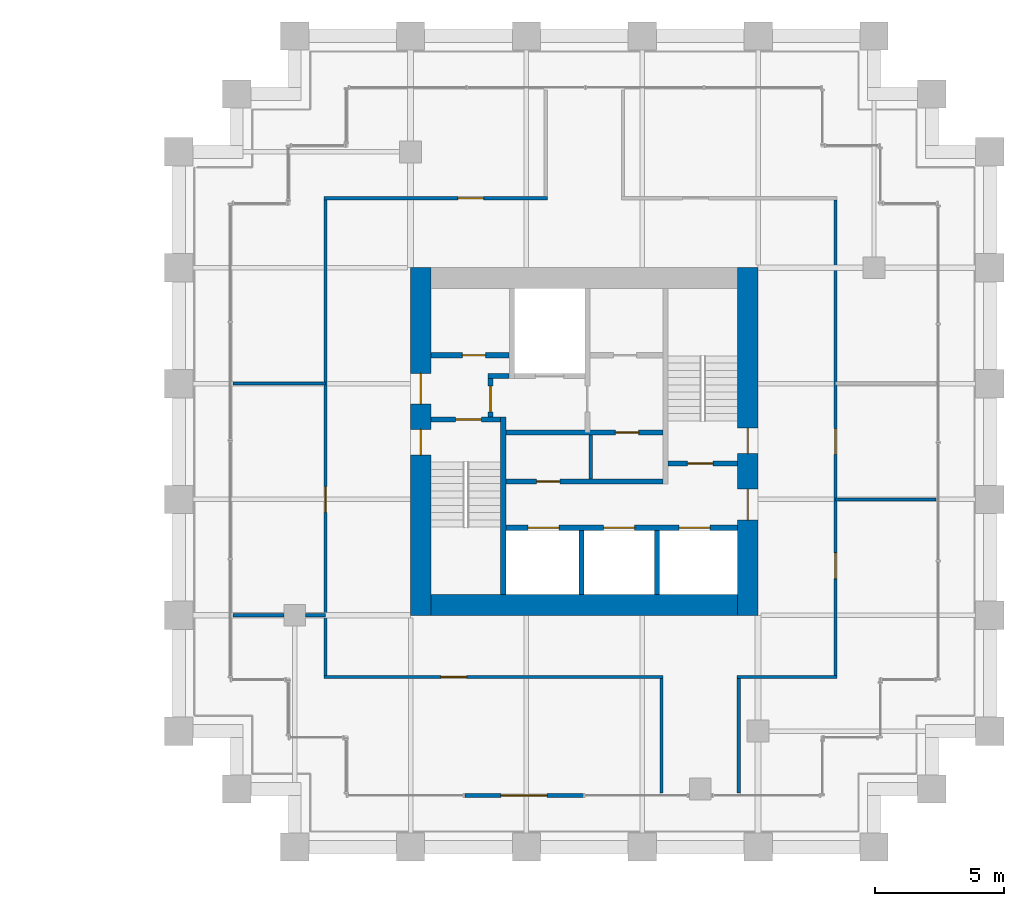
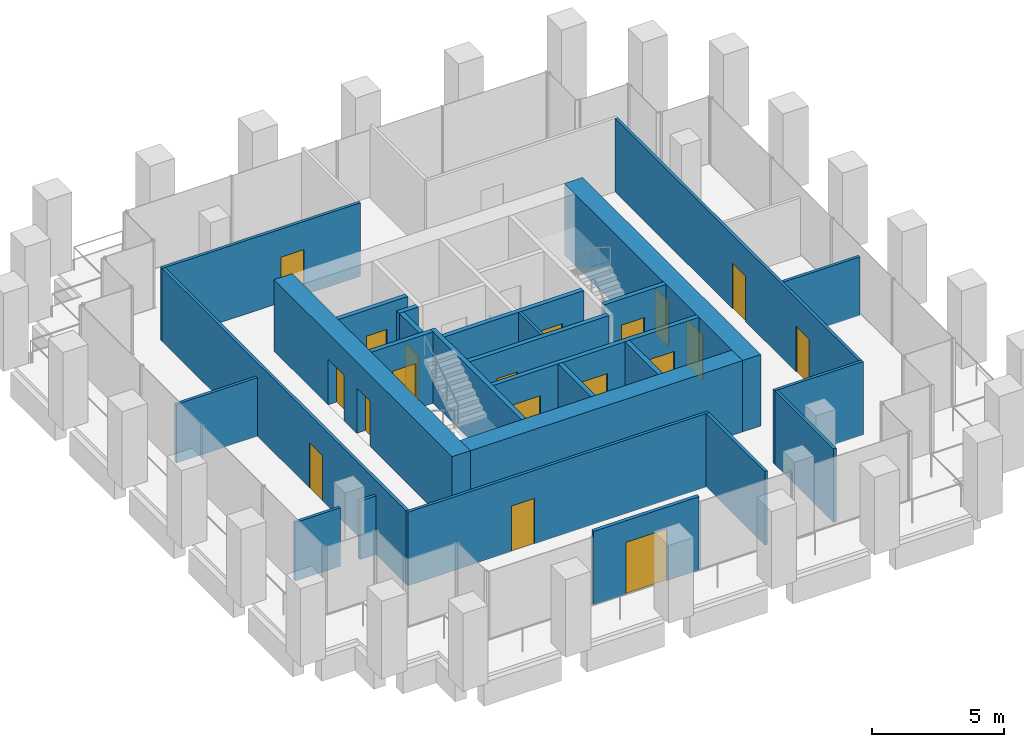
# One storey, part 52 of 56: 27 walls, 19 doors, 19 openings.
"""IFC4 building model written with IfcOpenShell, lengths in metres."""

from ifc_helpers import new_model, si_unit, direction, frame, frame_2d, origin, place, context, subcontext, project, spatial, rectangle, extrude, material, layer, layer_set, type_object, element, fill, save


model = new_model("IFC4")

# Units and contexts
model_context = context("Model", 3, precision=1e-05, world=origin(), true_north=direction((0.0, 1.0)))
body_context = subcontext(model_context, "Body", "Model", "MODEL_VIEW")
ifc_project = project(units=[si_unit("LENGTHUNIT", "METRE"), si_unit("AREAUNIT", "SQUARE_METRE"), si_unit("VOLUMEUNIT", "CUBIC_METRE"), si_unit("PLANEANGLEUNIT", "RADIAN"), si_unit("MASSUNIT", "GRAM", prefix="KILO")], contexts=[model_context])

# Site, building, storey
site_placement = place(None, origin())
site = spatial("IfcSite", under=ifc_project, at=site_placement, CompositionType="ELEMENT")
building_placement = place(site_placement, origin())
building = spatial("IfcBuilding", under=site, at=building_placement, Name="Altepetl Exchange Towers", CompositionType="ELEMENT")
storey_placement = place(building_placement, frame((0.0, 0.0, 83.39990234375)))
storey = spatial("IfcBuildingStorey", under=building, at=storey_placement, Name="L20", CompositionType="ELEMENT", Elevation=83.39990234375)

# Wall, openings, doors
ifc_material_1 = material(Name="Concrete C70/85", Category="concrete")
ifc_layer_1 = layer(ifc_material_1, 0.800048828125)
ifc_layer_set_1 = layer_set([ifc_layer_1], Name="Concrete C70/85")
wall_type_1 = type_object("IfcWallType", Name="Core wall 800 reinforced concrete", PredefinedType="SHEAR", material=ifc_layer_set_1)
wall_1_placement = place(storey_placement, frame((116.60009765625, 36.0, 0.0), z_axis=(0.0, 0.0, 1.0), x_axis=(0.0, 1.0, 0.0)))
wall_1 = element("IfcWall", 1, at=wall_1_placement, inside=storey, type_object=wall_type_1, Name="wall:B:L20:K-coreE", PredefinedType="SHEAR", context=body_context, shape_type="SweptSolid", body=[
    extrude(rectangle(XDim=13.5, YDim=0.800048828125, at=frame_2d((6.75, 0.0))), origin(), (0.0, 0.0, 1.0), 3.300048828125),
])
opening_1_placement = place(wall_1_placement, frame((3.699951171875, 0.0, 0.0)))
opening_1 = element("IfcOpeningElement", 2, at=opening_1_placement, cuts=wall_1, Name="Opening L20.B61", PredefinedType="OPENING", context=body_context, shape_type="SweptSolid", body=[
    extrude(rectangle(XDim=1.199951171875, YDim=2.10009765625, at=frame_2d((0.60009765625, 1.050048828125))), frame((0.0, 0.41015625, 0.0), z_axis=(0.0, -1.0, 0.0), x_axis=(1.0, 0.0, 0.0)), (0.0, 0.0, 1.0), 0.820068359375),
])
opening_2_placement = place(wall_1_placement, frame((6.27490234375, 0.0, 0.0)))
opening_2 = element("IfcOpeningElement", 3, at=opening_2_placement, cuts=wall_1, Name="Opening L20.B65", PredefinedType="OPENING", context=body_context, shape_type="SweptSolid", body=[
    extrude(rectangle(XDim=1.0, YDim=2.10009765625, at=frame_2d((0.5, 1.050048828125))), frame((0.0, 0.41015625, 0.0), z_axis=(0.0, -1.0, 0.0), x_axis=(1.0, 0.0, 0.0)), (0.0, 0.0, 1.0), 0.820068359375),
])
ifc_material_2 = material(Name="Steel and timber fire door", Category="steel")
door_type_1 = type_object("IfcDoorType", Name="Fire door 1000 x 2100 stair and lobby", OperationType="SINGLE_SWING_LEFT", PredefinedType="DOOR", material=ifc_material_2)
door_1_placement = place(opening_2_placement, origin())
door_1 = element("IfcDoor", 4, at=door_1_placement, inside=storey, type_object=door_type_1, Name="door:B:L20:K-dS2x", OperationType="SINGLE_SWING_LEFT", OverallHeight=2.10009765625, OverallWidth=1.0, PredefinedType="DOOR", context=body_context, shape_type="SweptSolid", body=[
    extrude(rectangle(XDim=1.0, YDim=2.10009765625, at=frame_2d((0.5, 1.050048828125))), frame((0.0, 0.02490234375, 0.0), z_axis=(0.0, -1.0, 0.0), x_axis=(1.0, 0.0, 0.0)), (0.0, 0.0, 1.0), 0.050048828125),
])
fill(opening_2, door_1)
door_type_2 = type_object("IfcDoorType", Name="Fire door 1200 x 2100 lobby entry", OperationType="SINGLE_SWING_LEFT", PredefinedType="DOOR", material=ifc_material_2)
door_2_placement = place(opening_1_placement, origin())
door_2 = element("IfcDoor", 5, at=door_2_placement, inside=storey, type_object=door_type_2, Name="door:B:L20:K-dLSE", OperationType="SINGLE_SWING_RIGHT", OverallHeight=2.10009765625, OverallWidth=1.199951171875, PredefinedType="DOOR", context=body_context, shape_type="SweptSolid", body=[
    extrude(rectangle(XDim=1.199951171875, YDim=2.10009765625, at=frame_2d((0.60009765625, 1.050048828125))), frame((0.0, 0.02490234375, 0.0), z_axis=(0.0, -1.0, 0.0), x_axis=(1.0, 0.0, 0.0)), (0.0, 0.0, 1.0), 0.050048828125),
])
fill(opening_1, door_2)

# Wall
wall_2_placement = place(storey_placement, frame((104.300048828125, 36.39990234375, 0.0)))
element("IfcWall", 6, at=wall_2_placement, inside=storey, type_object=wall_type_1, Name="wall:B:L20:K-coreS", PredefinedType="SHEAR", context=body_context, shape_type="SweptSolid", body=[
    extrude(rectangle(XDim=11.89990234375, YDim=0.800048828125, at=frame_2d((5.949951171875, 0.0))), origin(), (0.0, 0.0, 1.0), 3.300048828125),
])

# Wall, openings, doors
wall_3_placement = place(storey_placement, frame((103.89990234375, 36.0, 0.0), z_axis=(0.0, 0.0, 1.0), x_axis=(0.0, 1.0, 0.0)))
wall_3 = element("IfcWall", 7, at=wall_3_placement, inside=storey, type_object=wall_type_1, Name="wall:B:L20:K-coreW", PredefinedType="SHEAR", context=body_context, shape_type="SweptSolid", body=[
    extrude(rectangle(XDim=13.5, YDim=0.800048828125, at=frame_2d((6.75, 0.0))), origin(), (0.0, 0.0, 1.0), 3.300048828125),
])
opening_3_placement = place(wall_3_placement, frame((8.199951171875, 0.0, 0.0)))
opening_3 = element("IfcOpeningElement", 8, at=opening_3_placement, cuts=wall_3, Name="Opening L20.B60", PredefinedType="OPENING", context=body_context, shape_type="SweptSolid", body=[
    extrude(rectangle(XDim=1.199951171875, YDim=2.10009765625, at=frame_2d((0.60009765625, 1.050048828125))), frame((0.0, 0.41015625, 0.0), z_axis=(0.0, -1.0, 0.0), x_axis=(1.0, 0.0, 0.0)), (0.0, 0.0, 1.0), 0.820068359375),
])
opening_4_placement = place(wall_3_placement, frame((6.22509765625, 0.0, 0.0)))
opening_4 = element("IfcOpeningElement", 9, at=opening_4_placement, cuts=wall_3, Name="Opening L20.B63", PredefinedType="OPENING", context=body_context, shape_type="SweptSolid", body=[
    extrude(rectangle(XDim=1.0, YDim=2.10009765625, at=frame_2d((0.5, 1.050048828125))), frame((0.0, 0.41015625, 0.0), z_axis=(0.0, -1.0, 0.0), x_axis=(1.0, 0.0, 0.0)), (0.0, 0.0, 1.0), 0.820068359375),
])
door_3_placement = place(opening_4_placement, frame((1.0, 0.0, 0.0), x_axis=(-1.0, 0.0, 0.0)))
door_3 = element("IfcDoor", 10, at=door_3_placement, inside=storey, type_object=door_type_1, Name="door:B:L20:K-dS1x", OperationType="SINGLE_SWING_RIGHT", OverallHeight=2.10009765625, OverallWidth=1.0, PredefinedType="DOOR", context=body_context, shape_type="SweptSolid", body=[
    extrude(rectangle(XDim=1.0, YDim=2.10009765625, at=frame_2d((0.5, 1.050048828125))), frame((0.0, 0.02490234375, 0.0), z_axis=(0.0, -1.0, 0.0), x_axis=(1.0, 0.0, 0.0)), (0.0, 0.0, 1.0), 0.050048828125),
])
fill(opening_4, door_3)
door_4_placement = place(opening_3_placement, frame((1.199951171875, 0.0, 0.0), x_axis=(-1.0, 0.0, 0.0)))
door_4 = element("IfcDoor", 11, at=door_4_placement, inside=storey, type_object=door_type_2, Name="door:B:L20:K-dLNW", OperationType="SINGLE_SWING_RIGHT", OverallHeight=2.10009765625, OverallWidth=1.199951171875, PredefinedType="DOOR", context=body_context, shape_type="SweptSolid", body=[
    extrude(rectangle(XDim=1.199951171875, YDim=2.10009765625, at=frame_2d((0.60009765625, 1.050048828125))), frame((0.0, 0.02490234375, 0.0), z_axis=(0.0, -1.0, 0.0), x_axis=(1.0, 0.0, 0.0)), (0.0, 0.0, 1.0), 0.050048828125),
])
fill(opening_3, door_4)

# Wall, opening, door
ifc_material_3 = material(Name="Aluminium composite cladding", Category="aluminium")
ifc_layer_2 = layer(ifc_material_3, 0.14990234375)
ifc_layer_set_2 = layer_set([ifc_layer_2], Name="Aluminium composite cladding")
wall_type_2 = type_object("IfcWallType", Name="Infill wall 150 aluminium panel", PredefinedType="SOLIDWALL", material=ifc_layer_set_2)
wall_4_placement = place(storey_placement, frame((105.606201171875, 29.0, 0.0)))
wall_4 = element("IfcWall", 12, at=wall_4_placement, inside=storey, type_object=wall_type_2, Name="Loggia door bay wall", PredefinedType="SOLIDWALL", context=body_context, shape_type="SweptSolid", body=[
    extrude(rectangle(XDim=4.606201171875, YDim=0.14990234375, at=frame_2d((2.30322265625, 0.0))), origin(), (0.0, 0.0, 1.0), 3.400146484375),
])
opening_5_placement = place(wall_4_placement, frame((1.403076171875, 0.0, 0.0)))
opening_5 = element("IfcOpeningElement", 13, at=opening_5_placement, cuts=wall_4, Name="Opening L20.B90", PredefinedType="OPENING", context=body_context, shape_type="SweptSolid", body=[
    extrude(rectangle(XDim=1.800048828125, YDim=2.39990234375, at=frame_2d((0.89990234375, 1.199951171875))), frame((0.0, 0.0849609375, 0.0), z_axis=(0.0, -1.0, 0.0), x_axis=(1.0, 0.0, 0.0)), (0.0, 0.0, 1.0), 0.169921875),
])
ifc_material_4 = material(Name="Aluminium 6063-T6 and glass", Category="aluminium")
door_type_3 = type_object("IfcDoorType", Name="Glazed door pair 1800x2400", OperationType="DOUBLE_DOOR_DOUBLE_SWING", PredefinedType="NOTDEFINED", material=ifc_material_4)
door_5_placement = place(opening_5_placement, frame((1.800048828125, 0.0, 0.0), x_axis=(-1.0, 0.0, 0.0)))
door_5 = element("IfcDoor", 14, at=door_5_placement, inside=storey, type_object=door_type_3, Name="Loggia door", OperationType="DOUBLE_DOOR_DOUBLE_SWING", OverallHeight=2.39990234375, OverallWidth=1.800048828125, PredefinedType="NOTDEFINED", context=body_context, shape_type="SweptSolid", body=[
    extrude(rectangle(XDim=1.800048828125, YDim=2.39990234375, at=frame_2d((0.89990234375, 1.199951171875))), frame((0.0, 0.02490234375, 0.0), z_axis=(0.0, -1.0, 0.0), x_axis=(1.0, 0.0, 0.0)), (0.0, 0.0, 1.0), 0.050048828125),
])
fill(opening_5, door_5)

# Wall
ifc_material_5 = material(Name="Concrete blockwork", Category="masonry")
ifc_layer_3 = layer(ifc_material_5, 0.199951171875)
ifc_layer_set_3 = layer_set([ifc_layer_3], Name="Concrete blockwork")
wall_type_3 = type_object("IfcWallType", Name="Lobby wall 200 blockwork", PredefinedType="PARTITIONING", material=ifc_layer_set_3)
wall_5_placement = place(storey_placement, frame((106.5, 45.300048828125, 0.0)))
element("IfcWall", 15, at=wall_5_placement, inside=storey, type_object=wall_type_3, Name="wall:B:L20:K-ffNw", PredefinedType="PARTITIONING", context=body_context, shape_type="SweptSolid", body=[
    extrude(rectangle(XDim=0.833251953125, YDim=0.199951171875, at=frame_2d((0.41650390625, 0.0))), origin(), (0.0, 0.0, 1.0), 3.300048828125),
])

# Wall, opening, door
wall_6_placement = place(storey_placement, frame((106.60009765625, 43.699951171875, 0.0), z_axis=(0.0, 0.0, 1.0), x_axis=(0.0, 1.0, 0.0)))
wall_6 = element("IfcWall", 16, at=wall_6_placement, inside=storey, type_object=wall_type_3, Name="wall:B:L20:K-ffW", PredefinedType="PARTITIONING", context=body_context, shape_type="SweptSolid", body=[
    extrude(rectangle(XDim=1.5, YDim=0.199951171875, at=frame_2d((0.75, 0.0))), origin(), (0.0, 0.0, 1.0), 3.300048828125),
])
opening_6_placement = place(wall_6_placement, frame((0.199951171875, 0.0, 0.0)))
opening_6 = element("IfcOpeningElement", 17, at=opening_6_placement, cuts=wall_6, Name="Opening L20.B67", PredefinedType="OPENING", context=body_context, shape_type="SweptSolid", body=[
    extrude(rectangle(XDim=1.0, YDim=2.10009765625, at=frame_2d((0.5, 1.050048828125))), frame((0.0, 0.10986328125, 0.0), z_axis=(0.0, -1.0, 0.0), x_axis=(1.0, 0.0, 0.0)), (0.0, 0.0, 1.0), 0.219970703125),
])
door_6_placement = place(opening_6_placement, frame((1.0, 0.0, 0.0), x_axis=(-1.0, 0.0, 0.0)))
door_6 = element("IfcDoor", 18, at=door_6_placement, inside=storey, type_object=door_type_1, Name="door:B:L20:K-dffW", OperationType="SINGLE_SWING_LEFT", OverallHeight=2.10009765625, OverallWidth=1.0, PredefinedType="DOOR", context=body_context, shape_type="SweptSolid", body=[
    extrude(rectangle(XDim=1.0, YDim=2.10009765625, at=frame_2d((0.5, 1.050048828125))), frame((0.0, 0.02490234375, 0.0), z_axis=(0.0, -1.0, 0.0), x_axis=(1.0, 0.0, 0.0)), (0.0, 0.0, 1.0), 0.050048828125),
])
fill(opening_6, door_6)

wall_7_placement = place(storey_placement, frame((107.199951171875, 43.10009765625, 0.0)))
wall_7 = element("IfcWall", 19, at=wall_7_placement, inside=storey, type_object=wall_type_3, Name="wall:B:L20:K-zoneN", PredefinedType="PARTITIONING", context=body_context, shape_type="SweptSolid", body=[
    extrude(rectangle(XDim=6.10009765625, YDim=0.199951171875, at=frame_2d((3.050048828125, 0.0))), origin(), (0.0, 0.0, 1.0), 3.300048828125),
])
opening_7_placement = place(wall_7_placement, frame((4.258544921875, 0.0, 0.0)))
opening_7 = element("IfcOpeningElement", 20, at=opening_7_placement, cuts=wall_7, Name="Opening L20.B71", PredefinedType="OPENING", context=body_context, shape_type="SweptSolid", body=[
    extrude(rectangle(XDim=0.89990234375, YDim=2.10009765625, at=frame_2d((0.449951171875, 1.050048828125))), frame((0.0, 0.10986328125, 0.0), z_axis=(0.0, -1.0, 0.0), x_axis=(1.0, 0.0, 0.0)), (0.0, 0.0, 1.0), 0.219970703125),
])
door_type_4 = type_object("IfcDoorType", Name="Fire door 900 x 2100 service room", OperationType="SINGLE_SWING_LEFT", PredefinedType="DOOR", material=ifc_material_2)
door_7_placement = place(opening_7_placement, frame((0.89990234375, 0.0, 0.0), x_axis=(-1.0, 0.0, 0.0)))
door_7 = element("IfcDoor", 21, at=door_7_placement, inside=storey, type_object=door_type_4, Name="door:B:L20:K-dz2", OperationType="SINGLE_SWING_LEFT", OverallHeight=2.10009765625, OverallWidth=0.89990234375, PredefinedType="DOOR", context=body_context, shape_type="SweptSolid", body=[
    extrude(rectangle(XDim=0.89990234375, YDim=2.10009765625, at=frame_2d((0.449951171875, 1.050048828125))), frame((0.0, 0.02490234375, 0.0), z_axis=(0.0, -1.0, 0.0), x_axis=(1.0, 0.0, 0.0)), (0.0, 0.0, 1.0), 0.050048828125),
])
fill(opening_7, door_7)

wall_8_placement = place(storey_placement, frame((107.199951171875, 41.199951171875, 0.0)))
wall_8 = element("IfcWall", 22, at=wall_8_placement, inside=storey, type_object=wall_type_3, Name="wall:B:L20:K-zoneS", PredefinedType="PARTITIONING", context=body_context, shape_type="SweptSolid", body=[
    extrude(rectangle(XDim=6.10009765625, YDim=0.199951171875, at=frame_2d((3.050048828125, 0.0))), origin(), (0.0, 0.0, 1.0), 3.300048828125),
])
opening_8_placement = place(wall_8_placement, frame((1.199951171875, 0.0, 0.0)))
opening_8 = element("IfcOpeningElement", 23, at=opening_8_placement, cuts=wall_8, Name="Opening L20.B70", PredefinedType="OPENING", context=body_context, shape_type="SweptSolid", body=[
    extrude(rectangle(XDim=0.89990234375, YDim=2.10009765625, at=frame_2d((0.449951171875, 1.050048828125))), frame((0.0, 0.10986328125, 0.0), z_axis=(0.0, -1.0, 0.0), x_axis=(1.0, 0.0, 0.0)), (0.0, 0.0, 1.0), 0.219970703125),
])
door_8_placement = place(opening_8_placement, origin())
door_8 = element("IfcDoor", 24, at=door_8_placement, inside=storey, type_object=door_type_4, Name="door:B:L20:K-dz1", OperationType="SINGLE_SWING_RIGHT", OverallHeight=2.10009765625, OverallWidth=0.89990234375, PredefinedType="DOOR", context=body_context, shape_type="SweptSolid", body=[
    extrude(rectangle(XDim=0.89990234375, YDim=2.10009765625, at=frame_2d((0.449951171875, 1.050048828125))), frame((0.0, 0.02490234375, 0.0), z_axis=(0.0, -1.0, 0.0), x_axis=(1.0, 0.0, 0.0)), (0.0, 0.0, 1.0), 0.050048828125),
])
fill(opening_8, door_8)

# Wall
ifc_material_6 = material(Name="Gypsum board on steel studs", Category="steel")
ifc_layer_4 = layer(ifc_material_6, 0.125)
ifc_layer_set_4 = layer_set([ifc_layer_4], Name="Gypsum board on steel studs")
wall_type_4 = type_object("IfcWallType", Name="Partition 125 gypsum board on steel studs", PredefinedType="PARTITIONING", material=ifc_layer_set_4)
wall_9_placement = place(storey_placement, frame((110.5, 41.300048828125, 0.0), z_axis=(0.0, 0.0, 1.0), x_axis=(0.0, 1.0, 0.0)))
element("IfcWall", 25, at=wall_9_placement, inside=storey, type_object=wall_type_4, Name="wall:B:L20:K-zp1", PredefinedType="PARTITIONING", context=body_context, shape_type="SweptSolid", body=[
    extrude(rectangle(XDim=1.699951171875, YDim=0.125, at=frame_2d((0.85009765625, 0.0))), origin(), (0.0, 0.0, 1.0), 3.300048828125),
])

# Wall, opening, door
wall_10_placement = place(storey_placement, frame((100.137451171875, 33.60009765625, 0.0)))
wall_10 = element("IfcWall", 26, at=wall_10_placement, inside=storey, type_object=wall_type_4, Name="wall:B:L20:P01", PredefinedType="PARTITIONING", context=body_context, shape_type="SweptSolid", body=[
    extrude(rectangle(XDim=13.175048828125, YDim=0.125, at=frame_2d((6.58740234375, 0.0))), origin(), (0.0, 0.0, 1.0), 3.400146484375),
])
opening_9_placement = place(wall_10_placement, frame((4.54150390625, 0.0, 0.0)))
opening_9 = element("IfcOpeningElement", 27, at=opening_9_placement, cuts=wall_10, Name="Opening L20.B02", PredefinedType="OPENING", context=body_context, shape_type="SweptSolid", body=[
    extrude(rectangle(XDim=1.0, YDim=2.10009765625, at=frame_2d((0.5, 1.050048828125))), frame((0.0, 0.072509765625, 0.0), z_axis=(0.0, -1.0, 0.0), x_axis=(1.0, 0.0, 0.0)), (0.0, 0.0, 1.0), 0.14501953125),
])
door_type_5 = type_object("IfcDoorType", Name="Fire door 1000 x 2100 single leaf", OperationType="SINGLE_SWING_LEFT", PredefinedType="DOOR", material=ifc_material_2)
door_9_placement = place(opening_9_placement, frame((1.0, 0.0, 0.0), x_axis=(-1.0, 0.0, 0.0)))
door_9 = element("IfcDoor", 28, at=door_9_placement, inside=storey, type_object=door_type_5, Name="door:B:L20:02", OperationType="SINGLE_SWING_RIGHT", OverallHeight=2.10009765625, OverallWidth=1.0, PredefinedType="DOOR", context=body_context, shape_type="SweptSolid", body=[
    extrude(rectangle(XDim=1.0, YDim=2.10009765625, at=frame_2d((0.5, 1.050048828125))), frame((0.0, 0.02490234375, 0.0), z_axis=(0.0, -1.0, 0.0), x_axis=(1.0, 0.0, 0.0)), (0.0, 0.0, 1.0), 0.050048828125),
])
fill(opening_9, door_9)

# Walls
wall_11_placement = place(storey_placement, frame((116.1875, 33.60009765625, 0.0)))
element("IfcWall", 29, at=wall_11_placement, inside=storey, type_object=wall_type_4, Name="wall:B:L20:P02", PredefinedType="PARTITIONING", context=body_context, shape_type="SweptSolid", body=[
    extrude(rectangle(XDim=3.875, YDim=0.125, at=frame_2d((1.9375, 0.0))), origin(), (0.0, 0.0, 1.0), 3.400146484375),
])
wall_12_placement = place(storey_placement, frame((96.60009765625, 36.0, 0.0)))
element("IfcWall", 30, at=wall_12_placement, inside=storey, type_object=wall_type_4, Name="wall:B:L20:P03", PredefinedType="PARTITIONING", context=body_context, shape_type="SweptSolid", body=[
    extrude(rectangle(XDim=1.974853515625, YDim=0.125, at=frame_2d((0.9873046875, 0.0))), origin(), (0.0, 0.0, 1.0), 2.7080078125),
])
wall_13_placement = place(storey_placement, frame((99.425048828125, 36.0, 0.0)))
element("IfcWall", 31, at=wall_13_placement, inside=storey, type_object=wall_type_4, Name="wall:B:L20:P04", PredefinedType="PARTITIONING", context=body_context, shape_type="SweptSolid", body=[
    extrude(rectangle(XDim=0.77490234375, YDim=0.125, at=frame_2d((0.387451171875, 0.0))), origin(), (0.0, 0.0, 1.0), 2.7080078125),
])
wall_14_placement = place(storey_placement, frame((120.0, 40.5, 0.0)))
element("IfcWall", 32, at=wall_14_placement, inside=storey, type_object=wall_type_4, Name="wall:B:L20:P05", PredefinedType="PARTITIONING", context=body_context, shape_type="SweptSolid", body=[
    extrude(rectangle(XDim=3.89990234375, YDim=0.125, at=frame_2d((1.949951171875, 0.0))), origin(), (0.0, 0.0, 1.0), 2.712158203125),
])
wall_15_placement = place(storey_placement, frame((96.60009765625, 45.0, 0.0)))
element("IfcWall", 33, at=wall_15_placement, inside=storey, type_object=wall_type_4, Name="wall:B:L20:P06", PredefinedType="PARTITIONING", context=body_context, shape_type="SweptSolid", body=[
    extrude(rectangle(XDim=3.599853515625, YDim=0.125, at=frame_2d((1.7998046875, 0.0))), origin(), (0.0, 0.0, 1.0), 2.712158203125),
])

# Wall, opening, door
wall_16_placement = place(storey_placement, frame((100.137451171875, 52.199951171875, 0.0)))
wall_16 = element("IfcWall", 34, at=wall_16_placement, inside=storey, type_object=wall_type_4, Name="wall:B:L20:P08", PredefinedType="PARTITIONING", context=body_context, shape_type="SweptSolid", body=[
    extrude(rectangle(XDim=8.675048828125, YDim=0.125, at=frame_2d((4.33740234375, 0.0))), origin(), (0.0, 0.0, 1.0), 3.400146484375),
])
opening_10_placement = place(wall_16_placement, frame((5.196533203125, 0.0, 0.0)))
opening_10 = element("IfcOpeningElement", 35, at=opening_10_placement, cuts=wall_16, Name="Opening L20.B06", PredefinedType="OPENING", context=body_context, shape_type="SweptSolid", body=[
    extrude(rectangle(XDim=1.0, YDim=2.10009765625, at=frame_2d((0.5, 1.050048828125))), frame((0.0, 0.072509765625, 0.0), z_axis=(0.0, -1.0, 0.0), x_axis=(1.0, 0.0, 0.0)), (0.0, 0.0, 1.0), 0.14501953125),
])
door_10_placement = place(opening_10_placement, frame((1.0, 0.0, 0.0), x_axis=(-1.0, 0.0, 0.0)))
door_10 = element("IfcDoor", 36, at=door_10_placement, inside=storey, type_object=door_type_5, Name="door:B:L20:06", OperationType="SINGLE_SWING_RIGHT", OverallHeight=2.10009765625, OverallWidth=1.0, PredefinedType="DOOR", context=body_context, shape_type="SweptSolid", body=[
    extrude(rectangle(XDim=1.0, YDim=2.10009765625, at=frame_2d((0.5, 1.050048828125))), frame((0.0, 0.02490234375, 0.0), z_axis=(0.0, -1.0, 0.0), x_axis=(1.0, 0.0, 0.0)), (0.0, 0.0, 1.0), 0.050048828125),
])
fill(opening_10, door_10)

wall_17_placement = place(storey_placement, frame((100.199951171875, 33.66259765625, 0.0), z_axis=(0.0, 0.0, 1.0), x_axis=(0.0, 1.0, 0.0)))
wall_17 = element("IfcWall", 37, at=wall_17_placement, inside=storey, type_object=wall_type_4, Name="wall:B:L20:P10", PredefinedType="PARTITIONING", context=body_context, shape_type="SweptSolid", body=[
    extrude(rectangle(XDim=18.474853515625, YDim=0.125, at=frame_2d((9.2373046875, 0.0))), origin(), (0.0, 0.0, 1.0), 3.400146484375),
])
opening_11_placement = place(wall_17_placement, frame((6.33740234375, 0.0, 0.0)))
opening_11 = element("IfcOpeningElement", 38, at=opening_11_placement, cuts=wall_17, Name="Opening L20.B01", PredefinedType="OPENING", context=body_context, shape_type="SweptSolid", body=[
    extrude(rectangle(XDim=1.0, YDim=2.10009765625, at=frame_2d((0.5, 1.050048828125))), frame((0.0, 0.072509765625, 0.0), z_axis=(0.0, -1.0, 0.0), x_axis=(1.0, 0.0, 0.0)), (0.0, 0.0, 1.0), 0.14501953125),
])
door_11_placement = place(opening_11_placement, origin())
door_11 = element("IfcDoor", 39, at=door_11_placement, inside=storey, type_object=door_type_5, Name="door:B:L20:01", OperationType="SINGLE_SWING_RIGHT", OverallHeight=2.10009765625, OverallWidth=1.0, PredefinedType="DOOR", context=body_context, shape_type="SweptSolid", body=[
    extrude(rectangle(XDim=1.0, YDim=2.10009765625, at=frame_2d((0.5, 1.050048828125))), frame((0.0, 0.02490234375, 0.0), z_axis=(0.0, -1.0, 0.0), x_axis=(1.0, 0.0, 0.0)), (0.0, 0.0, 1.0), 0.050048828125),
])
fill(opening_11, door_11)

# Walls
for number, where, z_axis, x_axis, name in (
    (40, (113.25, 29.10009765625, 0.0), (0.0, 0.0, 1.0), (0.0, 1.0, 0.0), "wall:B:L20:P13"),
    (41, (116.25, 29.10009765625, 0.0), (0.0, 0.0, 1.0), (0.0, 1.0, 0.0), "wall:B:L20:P14"),
):
    element("IfcWall", number, at=place(storey_placement, frame(where, z_axis=z_axis, x_axis=x_axis)), inside=storey, type_object=wall_type_4, Name=name, PredefinedType="PARTITIONING", context=body_context, shape_type="SweptSolid", body=[
        extrude(rectangle(XDim=4.4375, YDim=0.125, at=frame_2d((2.21875, 0.0))), origin(), (0.0, 0.0, 1.0), 3.400146484375),
    ])

# Wall, openings, doors
wall_18_placement = place(storey_placement, frame((120.0, 33.66259765625, 0.0), z_axis=(0.0, 0.0, 1.0), x_axis=(0.0, 1.0, 0.0)))
wall_18 = element("IfcWall", 42, at=wall_18_placement, inside=storey, type_object=wall_type_4, Name="wall:B:L20:P15", PredefinedType="PARTITIONING", context=body_context, shape_type="SweptSolid", body=[
    extrude(rectangle(XDim=18.474853515625, YDim=0.125, at=frame_2d((9.2373046875, 0.0))), origin(), (0.0, 0.0, 1.0), 3.400146484375),
])
opening_12_placement = place(wall_18_placement, frame((3.762451171875, 0.0, 0.0)))
opening_12 = element("IfcOpeningElement", 43, at=opening_12_placement, cuts=wall_18, Name="Opening L20.B03", PredefinedType="OPENING", context=body_context, shape_type="SweptSolid", body=[
    extrude(rectangle(XDim=1.0, YDim=2.10009765625, at=frame_2d((0.5, 1.050048828125))), frame((0.0, 0.072509765625, 0.0), z_axis=(0.0, -1.0, 0.0), x_axis=(1.0, 0.0, 0.0)), (0.0, 0.0, 1.0), 0.14501953125),
])
opening_13_placement = place(wall_18_placement, frame((8.58740234375, 0.0, 0.0)))
opening_13 = element("IfcOpeningElement", 44, at=opening_13_placement, cuts=wall_18, Name="Opening L20.B04", PredefinedType="OPENING", context=body_context, shape_type="SweptSolid", body=[
    extrude(rectangle(XDim=1.0, YDim=2.10009765625, at=frame_2d((0.5, 1.050048828125))), frame((0.0, 0.072509765625, 0.0), z_axis=(0.0, -1.0, 0.0), x_axis=(1.0, 0.0, 0.0)), (0.0, 0.0, 1.0), 0.14501953125),
])
door_12_placement = place(opening_12_placement, frame((1.0, 0.0, 0.0), x_axis=(-1.0, 0.0, 0.0)))
door_12 = element("IfcDoor", 45, at=door_12_placement, inside=storey, type_object=door_type_5, Name="door:B:L20:03", OperationType="SINGLE_SWING_LEFT", OverallHeight=2.10009765625, OverallWidth=1.0, PredefinedType="DOOR", context=body_context, shape_type="SweptSolid", body=[
    extrude(rectangle(XDim=1.0, YDim=2.10009765625, at=frame_2d((0.5, 1.050048828125))), frame((0.0, 0.02490234375, 0.0), z_axis=(0.0, -1.0, 0.0), x_axis=(1.0, 0.0, 0.0)), (0.0, 0.0, 1.0), 0.050048828125),
])
fill(opening_12, door_12)
door_13_placement = place(opening_13_placement, frame((1.0, 0.0, 0.0), x_axis=(-1.0, 0.0, 0.0)))
door_13 = element("IfcDoor", 46, at=door_13_placement, inside=storey, type_object=door_type_5, Name="door:B:L20:04", OperationType="SINGLE_SWING_RIGHT", OverallHeight=2.10009765625, OverallWidth=1.0, PredefinedType="DOOR", context=body_context, shape_type="SweptSolid", body=[
    extrude(rectangle(XDim=1.0, YDim=2.10009765625, at=frame_2d((0.5, 1.050048828125))), frame((0.0, 0.02490234375, 0.0), z_axis=(0.0, -1.0, 0.0), x_axis=(1.0, 0.0, 0.0)), (0.0, 0.0, 1.0), 0.050048828125),
])
fill(opening_13, door_13)

# Walls
ifc_material_7 = material(Name="Concrete C40/50", Category="concrete")
ifc_layer_5 = layer(ifc_material_7, 0.199951171875)
ifc_layer_set_5 = layer_set([ifc_layer_5], Name="Concrete C40/50")
wall_type_5 = type_object("IfcWallType", Name="Shaft wall 200 reinforced concrete", PredefinedType="SHEAR", material=ifc_layer_set_5)
for number, where, z_axis, x_axis, name in (
    (47, (110.13330078125, 36.800048828125, 0.0), (0.0, 0.0, 1.0), (0.0, 1.0, 0.0), "wall:B:L20:K-divS1"),
    (48, (113.066650390625, 36.800048828125, 0.0), (0.0, 0.0, 1.0), (0.0, 1.0, 0.0), "wall:B:L20:K-divS2"),
):
    element("IfcWall", number, at=place(storey_placement, frame(where, z_axis=z_axis, x_axis=x_axis)), inside=storey, type_object=wall_type_5, Name=name, PredefinedType="SHEAR", context=body_context, shape_type="SweptSolid", body=[
        extrude(rectangle(XDim=2.5, YDim=0.199951171875, at=frame_2d((1.25, 0.0))), origin(), (0.0, 0.0, 1.0), 3.300048828125),
    ])

# Wall, opening, door
wall_19_placement = place(storey_placement, frame((104.300048828125, 46.10009765625, 0.0)))
wall_19 = element("IfcWall", 49, at=wall_19_placement, inside=storey, type_object=wall_type_5, Name="wall:B:L20:K-frontNa", PredefinedType="SHEAR", context=body_context, shape_type="SweptSolid", body=[
    extrude(rectangle(XDim=3.033203125, YDim=0.199951171875, at=frame_2d((1.5166015625, 0.0))), origin(), (0.0, 0.0, 1.0), 3.300048828125),
])
opening_14_placement = place(wall_19_placement, frame((1.216796875, 0.0, 0.0)))
opening_14 = element("IfcOpeningElement", 50, at=opening_14_placement, cuts=wall_19, Name="Opening L20.B68", PredefinedType="OPENING", context=body_context, shape_type="SweptSolid", body=[
    extrude(rectangle(XDim=0.89990234375, YDim=2.10009765625, at=frame_2d((0.449951171875, 1.050048828125))), frame((0.0, 0.10986328125, 0.0), z_axis=(0.0, -1.0, 0.0), x_axis=(1.0, 0.0, 0.0)), (0.0, 0.0, 1.0), 0.219970703125),
])
door_14_placement = place(opening_14_placement, origin())
door_14 = element("IfcDoor", 51, at=door_14_placement, inside=storey, type_object=door_type_4, Name="door:B:L20:K-dslotN0", OperationType="SINGLE_SWING_RIGHT", OverallHeight=2.10009765625, OverallWidth=0.89990234375, PredefinedType="DOOR", context=body_context, shape_type="SweptSolid", body=[
    extrude(rectangle(XDim=0.89990234375, YDim=2.10009765625, at=frame_2d((0.449951171875, 1.050048828125))), frame((0.0, 0.02490234375, 0.0), z_axis=(0.0, -1.0, 0.0), x_axis=(1.0, 0.0, 0.0)), (0.0, 0.0, 1.0), 0.050048828125),
])
fill(opening_14, door_14)

# Wall, openings, doors
wall_20_placement = place(storey_placement, frame((107.199951171875, 39.39990234375, 0.0)))
wall_20 = element("IfcWall", 52, at=wall_20_placement, inside=storey, type_object=wall_type_5, Name="wall:B:L20:K-frontS", PredefinedType="SHEAR", context=body_context, shape_type="SweptSolid", body=[
    extrude(rectangle(XDim=9.0, YDim=0.199951171875, at=frame_2d((4.5, 0.0))), origin(), (0.0, 0.0, 1.0), 3.300048828125),
])
opening_15_placement = place(wall_20_placement, frame((0.86669921875, 0.0, 0.0)))
opening_15 = element("IfcOpeningElement", 53, at=opening_15_placement, cuts=wall_20, Name="Opening L20.B73", PredefinedType="OPENING", context=body_context, shape_type="SweptSolid", body=[
    extrude(rectangle(XDim=1.199951171875, YDim=2.10009765625, at=frame_2d((0.60009765625, 1.050048828125))), frame((0.0, 0.10986328125, 0.0), z_axis=(0.0, -1.0, 0.0), x_axis=(1.0, 0.0, 0.0)), (0.0, 0.0, 1.0), 0.219970703125),
])
opening_16_placement = place(wall_20_placement, frame((3.800048828125, 0.0, 0.0)))
opening_16 = element("IfcOpeningElement", 54, at=opening_16_placement, cuts=wall_20, Name="Opening L20.B74", PredefinedType="OPENING", context=body_context, shape_type="SweptSolid", body=[
    extrude(rectangle(XDim=1.199951171875, YDim=2.10009765625, at=frame_2d((0.60009765625, 1.050048828125))), frame((0.0, 0.10986328125, 0.0), z_axis=(0.0, -1.0, 0.0), x_axis=(1.0, 0.0, 0.0)), (0.0, 0.0, 1.0), 0.219970703125),
])
opening_17_placement = place(wall_20_placement, frame((6.7333984375, 0.0, 0.0)))
opening_17 = element("IfcOpeningElement", 55, at=opening_17_placement, cuts=wall_20, Name="Opening L20.B75", PredefinedType="OPENING", context=body_context, shape_type="SweptSolid", body=[
    extrude(rectangle(XDim=1.199951171875, YDim=2.10009765625, at=frame_2d((0.60009765625, 1.050048828125))), frame((0.0, 0.10986328125, 0.0), z_axis=(0.0, -1.0, 0.0), x_axis=(1.0, 0.0, 0.0)), (0.0, 0.0, 1.0), 0.219970703125),
])
ifc_material_8 = material(Name="Stainless steel", Category="steel")
door_type_6 = type_object("IfcDoorType", Name="Lift landing door 1200 x 2100", OperationType="SLIDING_TO_LEFT", PredefinedType="DOOR", material=ifc_material_8)
door_15_placement = place(opening_15_placement, origin())
door_15 = element("IfcDoor", 56, at=door_15_placement, inside=storey, type_object=door_type_6, Name="Landing door P1", OperationType="SLIDING_TO_LEFT", OverallHeight=2.10009765625, OverallWidth=1.199951171875, PredefinedType="DOOR", context=body_context, shape_type="SweptSolid", body=[
    extrude(rectangle(XDim=1.199951171875, YDim=2.10009765625, at=frame_2d((0.60009765625, 1.050048828125))), frame((0.0, 0.02490234375, 0.0), z_axis=(0.0, -1.0, 0.0), x_axis=(1.0, 0.0, 0.0)), (0.0, 0.0, 1.0), 0.050048828125),
])
fill(opening_15, door_15)
door_16_placement = place(opening_16_placement, origin())
door_16 = element("IfcDoor", 57, at=door_16_placement, inside=storey, type_object=door_type_6, Name="Landing door P2", OperationType="SLIDING_TO_LEFT", OverallHeight=2.10009765625, OverallWidth=1.199951171875, PredefinedType="DOOR", context=body_context, shape_type="SweptSolid", body=[
    extrude(rectangle(XDim=1.199951171875, YDim=2.10009765625, at=frame_2d((0.60009765625, 1.050048828125))), frame((0.0, 0.02490234375, 0.0), z_axis=(0.0, -1.0, 0.0), x_axis=(1.0, 0.0, 0.0)), (0.0, 0.0, 1.0), 0.050048828125),
])
fill(opening_16, door_16)
door_17_placement = place(opening_17_placement, origin())
door_17 = element("IfcDoor", 58, at=door_17_placement, inside=storey, type_object=door_type_6, Name="Landing door P3", OperationType="SLIDING_TO_LEFT", OverallHeight=2.10009765625, OverallWidth=1.199951171875, PredefinedType="DOOR", context=body_context, shape_type="SweptSolid", body=[
    extrude(rectangle(XDim=1.199951171875, YDim=2.10009765625, at=frame_2d((0.60009765625, 1.050048828125))), frame((0.0, 0.02490234375, 0.0), z_axis=(0.0, -1.0, 0.0), x_axis=(1.0, 0.0, 0.0)), (0.0, 0.0, 1.0), 0.050048828125),
])
fill(opening_17, door_17)

# Wall
ifc_layer_6 = layer(ifc_material_7, 0.199951171875)
ifc_layer_set_6 = layer_set([ifc_layer_6], Name="Concrete C40/50")
wall_type_6 = type_object("IfcWallType", Name="Stair wall 200 reinforced concrete", PredefinedType="SHEAR", material=ifc_layer_set_6)
wall_21_placement = place(storey_placement, frame((107.10009765625, 36.800048828125, 0.0), z_axis=(0.0, 0.0, 1.0), x_axis=(0.0, 1.0, 0.0)))
element("IfcWall", 59, at=wall_21_placement, inside=storey, type_object=wall_type_6, Name="wall:B:L20:K-stS1E", PredefinedType="SHEAR", context=body_context, shape_type="SweptSolid", body=[
    extrude(rectangle(XDim=6.89990234375, YDim=0.199951171875, at=frame_2d((3.449951171875, 0.0))), origin(), (0.0, 0.0, 1.0), 3.300048828125),
])

# Wall, opening, door
wall_22_placement = place(storey_placement, frame((104.300048828125, 43.60009765625, 0.0)))
wall_22 = element("IfcWall", 60, at=wall_22_placement, inside=storey, type_object=wall_type_6, Name="wall:B:L20:K-stS1N", PredefinedType="SHEAR", context=body_context, shape_type="SweptSolid", body=[
    extrude(rectangle(XDim=2.699951171875, YDim=0.199951171875, at=frame_2d((1.35009765625, 0.0))), origin(), (0.0, 0.0, 1.0), 3.300048828125),
])
opening_18_placement = place(wall_22_placement, frame((0.949951171875, 0.0, 0.0)))
opening_18 = element("IfcOpeningElement", 61, at=opening_18_placement, cuts=wall_22, Name="Opening L20.B62", PredefinedType="OPENING", context=body_context, shape_type="SweptSolid", body=[
    extrude(rectangle(XDim=1.0, YDim=2.10009765625, at=frame_2d((0.5, 1.050048828125))), frame((0.0, 0.10986328125, 0.0), z_axis=(0.0, -1.0, 0.0), x_axis=(1.0, 0.0, 0.0)), (0.0, 0.0, 1.0), 0.219970703125),
])
door_18_placement = place(opening_18_placement, frame((1.0, 0.0, 0.0), x_axis=(-1.0, 0.0, 0.0)))
door_18 = element("IfcDoor", 62, at=door_18_placement, inside=storey, type_object=door_type_1, Name="door:B:L20:K-dS1in", OperationType="SINGLE_SWING_LEFT", OverallHeight=2.10009765625, OverallWidth=1.0, PredefinedType="DOOR", context=body_context, shape_type="SweptSolid", body=[
    extrude(rectangle(XDim=1.0, YDim=2.10009765625, at=frame_2d((0.5, 1.050048828125))), frame((0.0, 0.02490234375, 0.0), z_axis=(0.0, -1.0, 0.0), x_axis=(1.0, 0.0, 0.0)), (0.0, 0.0, 1.0), 0.050048828125),
])
fill(opening_18, door_18)

wall_23_placement = place(storey_placement, frame((113.5, 41.89990234375, 0.0)))
wall_23 = element("IfcWall", 63, at=wall_23_placement, inside=storey, type_object=wall_type_6, Name="wall:B:L20:K-stS2S", PredefinedType="SHEAR", context=body_context, shape_type="SweptSolid", body=[
    extrude(rectangle(XDim=2.699951171875, YDim=0.199951171875, at=frame_2d((1.35009765625, 0.0))), origin(), (0.0, 0.0, 1.0), 3.300048828125),
])
opening_19_placement = place(wall_23_placement, frame((0.75, 0.0, 0.0)))
opening_19 = element("IfcOpeningElement", 64, at=opening_19_placement, cuts=wall_23, Name="Opening L20.B64", PredefinedType="OPENING", context=body_context, shape_type="SweptSolid", body=[
    extrude(rectangle(XDim=1.0, YDim=2.10009765625, at=frame_2d((0.5, 1.050048828125))), frame((0.0, 0.10986328125, 0.0), z_axis=(0.0, -1.0, 0.0), x_axis=(1.0, 0.0, 0.0)), (0.0, 0.0, 1.0), 0.219970703125),
])
door_19_placement = place(opening_19_placement, origin())
door_19 = element("IfcDoor", 65, at=door_19_placement, inside=storey, type_object=door_type_1, Name="door:B:L20:K-dS2in", OperationType="SINGLE_SWING_RIGHT", OverallHeight=2.10009765625, OverallWidth=1.0, PredefinedType="DOOR", context=body_context, shape_type="SweptSolid", body=[
    extrude(rectangle(XDim=1.0, YDim=2.10009765625, at=frame_2d((0.5, 1.050048828125))), frame((0.0, 0.02490234375, 0.0), z_axis=(0.0, -1.0, 0.0), x_axis=(1.0, 0.0, 0.0)), (0.0, 0.0, 1.0), 0.050048828125),
])
fill(opening_19, door_19)

save(model, "model.ifc")
